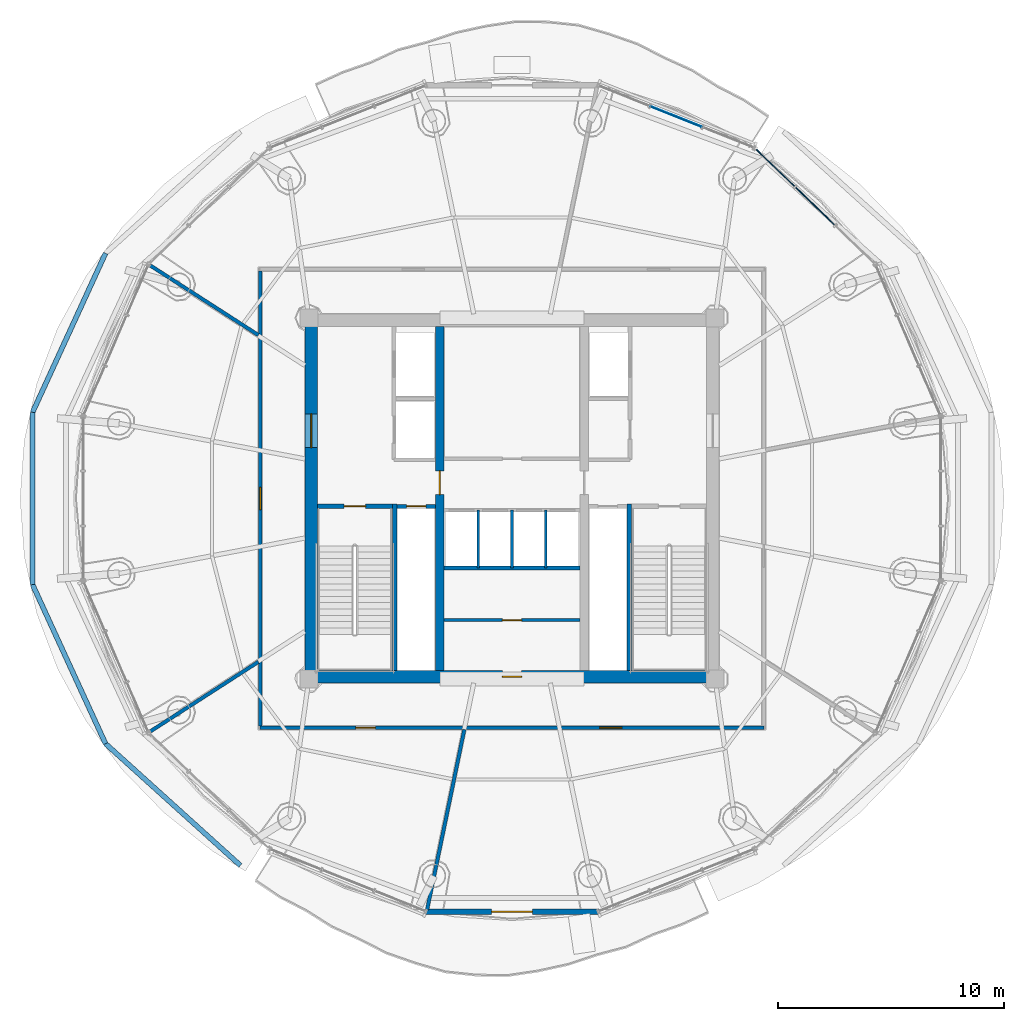
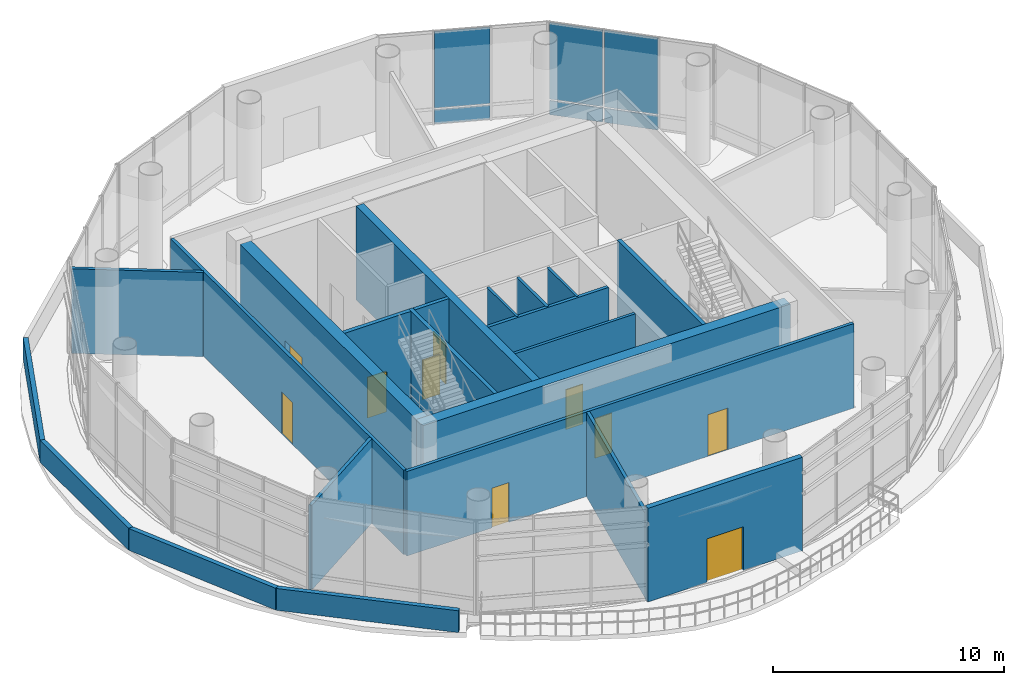
# One storey, part 16 of 22: 22 walls, 10 doors, 6 plates, 10 openings, 2 elements without a shape of their own.
"""IFC4 building model written with IfcOpenShell, lengths in metres."""

from ifc_helpers import new_model, si_unit, direction, frame, frame_2d, origin, origin_2d, place, context, subcontext, project, spatial, rectangle, extrude, source, transform, mapped, material, layer, layer_set, type_object, element, fill, aggregate, save


model = new_model("IFC4")

# Units and contexts
model_context = context("Model", 3, precision=1e-05, world=origin(), true_north=direction((-0.2419218956, 0.970295726276)))
body_context = subcontext(model_context, "Body", "Model", "MODEL_VIEW")
ifc_project = project(units=[si_unit("LENGTHUNIT", "METRE"), si_unit("AREAUNIT", "SQUARE_METRE"), si_unit("VOLUMEUNIT", "CUBIC_METRE"), si_unit("PLANEANGLEUNIT", "RADIAN"), si_unit("MASSUNIT", "GRAM", prefix="KILO")], contexts=[model_context])

# Site, building, storey
site_placement = place(None, origin())
site = spatial("IfcSite", under=ifc_project, at=site_placement, CompositionType="ELEMENT")
building_placement = place(site_placement, origin())
building = spatial("IfcBuilding", under=site, at=building_placement, Name="Cobrevalo Terracotta Tower", CompositionType="ELEMENT")
storey_placement = place(building_placement, frame((0.0, 0.0, 243.0)))
storey = spatial("IfcBuildingStorey", under=building, at=storey_placement, Name="L64", CompositionType="ELEMENT", Elevation=243.0)

# Curtain wall, plates
ifc_material_1 = material(Name="Anodized aluminium", Category="aluminium")
curtain_wall_type = type_object("IfcCurtainWallType", Name="Double-height sky-lobby panoramic curtain wall CW-SK", PredefinedType="NOTDEFINED", material=ifc_material_1)
curtain_wall_1_placement = place(storey_placement, origin())
curtain_wall_1 = element("IfcCurtainWall", 1, at=curtain_wall_1_placement, inside=storey, type_object=curtain_wall_type, Name="L64 curtain wall CW-SK-L64-S02", PredefinedType="NOTDEFINED")
ifc_material_2 = material(Name="Terracotta-faced insulated spandrel", Category="masonry")
ifc_layer_1 = layer(ifc_material_2, 0.044921875)
ifc_layer_set_1 = layer_set([ifc_layer_1], Name="Terracotta-faced insulated spandrel")
plate_type_1 = type_object("IfcPlateType", Name="Insulated terracotta-faced spandrel cassette 45 mm", PredefinedType="CURTAIN_PANEL", material=ifc_layer_set_1)
shared_shape_1 = source(origin(), body_context, "Body", "SweptSolid", [
    extrude(rectangle(XDim=2.354248046875, YDim=0.044921875, at=origin_2d()), origin(), (0.0, 0.0, 1.0), 0.739990234375),
])
plate_1_placement = place(storey_placement, frame((49.66650390625, 41.451171875, 0.0400390625), z_axis=(0.0, 0.0, 1.0), x_axis=(-0.719996603293, 0.693977586992, 0.0)))
plate_1 = element("IfcPlate", 2, at=plate_1_placement, type_object=plate_type_1, Name="CW-SK-L64-S02 terracotta spandrel panel B03", PredefinedType="CURTAIN_PANEL", context=body_context, shape_type="MappedRepresentation", body=[
    mapped(shared_shape_1, transform((0.0, 0.0, 0.0), scale=1.0)),
])
ifc_material_3 = material(Name="Laminated low-E double glazing", Category="glass")
ifc_layer_2 = layer(ifc_material_3, 0.031982421875)
ifc_layer_set_2 = layer_set([ifc_layer_2], Name="Laminated low-E double glazing")
plate_type_2 = type_object("IfcPlateType", Name="Podium clear acoustic laminated glazing panel 32 mm", PredefinedType="CURTAIN_PANEL", material=ifc_layer_set_2)
shared_shape_2 = source(origin(), body_context, "Body", "SweptSolid", [
    extrude(rectangle(XDim=2.354248046875, YDim=0.035888671875, at=origin_2d()), origin(), (0.0, 0.0, 1.0), 4.0400390625),
])
plate_2_placement = place(storey_placement, frame((49.66650390625, 41.451171875, 0.85986328125), z_axis=(0.0, 0.0, 1.0), x_axis=(-0.719996603293, 0.693977586992, 0.0)))
plate_2 = element("IfcPlate", 3, at=plate_2_placement, type_object=plate_type_2, Name="CW-SK-L64-S02 glazing panel B03", PredefinedType="CURTAIN_PANEL", context=body_context, shape_type="MappedRepresentation", body=[
    mapped(shared_shape_2, transform((0.0, 0.0, 0.0), scale=1.0)),
])
shared_shape_3 = source(origin(), body_context, "Body", "SweptSolid", [
    extrude(rectangle(XDim=2.394287109375, YDim=0.044921875, at=origin_2d()), origin(), (0.0, 0.0, 1.0), 0.739990234375),
])
plate_3_placement = place(storey_placement, frame((51.43359375, 39.748046875, 0.0400390625), z_axis=(0.0, 0.0, 1.0), x_axis=(-0.719996603293, 0.693977586992, 0.0)))
plate_3 = element("IfcPlate", 4, at=plate_3_placement, type_object=plate_type_1, Name="CW-SK-L64-S02 terracotta spandrel panel B02", PredefinedType="CURTAIN_PANEL", context=body_context, shape_type="MappedRepresentation", body=[
    mapped(shared_shape_3, transform((0.0, 0.0, 0.0), scale=1.0)),
])
shared_shape_4 = source(origin(), body_context, "Body", "SweptSolid", [
    extrude(rectangle(XDim=2.394287109375, YDim=0.035888671875, at=origin_2d()), origin(), (0.0, 0.0, 1.0), 4.0400390625),
])
plate_4_placement = place(storey_placement, frame((51.43359375, 39.748046875, 0.85986328125), z_axis=(0.0, 0.0, 1.0), x_axis=(-0.719996603293, 0.693977586992, 0.0)))
plate_4 = element("IfcPlate", 5, at=plate_4_placement, type_object=plate_type_2, Name="CW-SK-L64-S02 glazing panel B02", PredefinedType="CURTAIN_PANEL", context=body_context, shape_type="MappedRepresentation", body=[
    mapped(shared_shape_4, transform((0.0, 0.0, 0.0), scale=1.0)),
])
aggregate(curtain_wall_1, [plate_3, plate_4, plate_1, plate_2])

curtain_wall_2_placement = place(storey_placement, origin())
curtain_wall_2 = element("IfcCurtainWall", 6, at=curtain_wall_2_placement, inside=storey, type_object=curtain_wall_type, Name="L64 curtain wall CW-SK-L64-S03", PredefinedType="NOTDEFINED")
shared_shape_5 = source(origin(), body_context, "Body", "SweptSolid", [
    extrude(rectangle(XDim=2.426025390625, YDim=0.044921875, at=origin_2d()), origin(), (0.0, 0.0, 1.0), 0.739990234375),
])
plate_5_placement = place(storey_placement, frame((45.270263671875, 43.71728515625, 0.0400390625), z_axis=(0.0, 0.0, 1.0), x_axis=(-0.92871833374, 0.370785998353, 0.0)))
plate_5 = element("IfcPlate", 7, at=plate_5_placement, type_object=plate_type_1, Name="CW-SK-L64-S03 terracotta spandrel panel B02", PredefinedType="CURTAIN_PANEL", context=body_context, shape_type="MappedRepresentation", body=[
    mapped(shared_shape_5, transform((0.0, 0.0, 0.0), scale=1.0)),
])
shared_shape_6 = source(origin(), body_context, "Body", "SweptSolid", [
    extrude(rectangle(XDim=2.426025390625, YDim=0.035888671875, at=origin_2d()), origin(), (0.0, 0.0, 1.0), 4.0400390625),
])
plate_6_placement = place(storey_placement, frame((45.270263671875, 43.71728515625, 0.85986328125), z_axis=(0.0, 0.0, 1.0), x_axis=(-0.92871833374, 0.370785998353, 0.0)))
plate_6 = element("IfcPlate", 8, at=plate_6_placement, type_object=plate_type_2, Name="CW-SK-L64-S03 glazing panel B02", PredefinedType="CURTAIN_PANEL", context=body_context, shape_type="MappedRepresentation", body=[
    mapped(shared_shape_6, transform((0.0, 0.0, 0.0), scale=1.0)),
])
aggregate(curtain_wall_2, [plate_5, plate_6])

# Wall, opening, door
ifc_material_4 = material(Name="Concrete C50", Category="concrete")
ifc_layer_3 = layer(ifc_material_4, 0.550048828125)
ifc_layer_set_3 = layer_set([ifc_layer_3], Name="Concrete C50")
wall_type_1 = type_object("IfcWallType", Name="Core shear wall 550 mm Concrete C50", PredefinedType="SHEAR", material=ifc_layer_set_3)
wall_1_placement = place(storey_placement, frame((28.824951171875, 18.89990234375, 0.0), z_axis=(0.0, 0.0, 1.0), x_axis=(1.0, 0.0, 0.0)))
wall_1 = element("IfcWall", 9, at=wall_1_placement, inside=storey, type_object=wall_type_1, Name="L64 south core shear wall", PredefinedType="SHEAR", context=body_context, shape_type="SweptSolid", body=[
    extrude(rectangle(XDim=18.35009765625, YDim=0.550048828125, at=frame_2d((9.175048828125, 0.0))), origin(), (0.0, 0.0, 1.0), 4.93994140625),
])
opening_1_placement = place(wall_1_placement, frame((8.75, 0.0, 0.0)))
opening_1 = element("IfcOpeningElement", 10, at=opening_1_placement, cuts=wall_1, Name="Opening ID-22", PredefinedType="OPENING", context=body_context, shape_type="SweptSolid", body=[
    extrude(rectangle(XDim=0.85009765625, YDim=2.10009765625, at=frame_2d((0.425048828125, 1.050048828125))), frame((0.0, 0.28515625, 0.0), z_axis=(0.0, -1.0, 0.0), x_axis=(1.0, 0.0, 0.0)), (0.0, 0.0, 1.0), 0.570068359375),
])
ifc_material_5 = material(Name="Powder-coated steel", Category="steel")
door_type_1 = type_object("IfcDoorType", Name="Riser shaft & meter closet fire access door 850x2100 EI 60", OperationType="NOTDEFINED", PredefinedType="DOOR", material=ifc_material_5)
shared_shape_7 = source(origin(), body_context, "Body", "SweptSolid", [
    extrude(rectangle(XDim=0.85009765625, YDim=2.10009765625, at=frame_2d((0.425048828125, 1.050048828125))), frame((0.0, 0.02490234375, 0.0), z_axis=(0.0, -1.0, 0.0), x_axis=(1.0, 0.0, 0.0)), (0.0, 0.0, 1.0), 0.050048828125),
])
door_1_placement = place(opening_1_placement, origin())
door_1 = element("IfcDoor", 11, at=door_1_placement, inside=storey, type_object=door_type_1, Name="L64 core south plant door Smoke Extract Fan Plant", OperationType="SINGLE_SWING_RIGHT", OverallHeight=2.10009765625, OverallWidth=0.85009765625, PredefinedType="DOOR", context=body_context, shape_type="MappedRepresentation", body=[
    mapped(shared_shape_7, transform((0.0, 0.0, 0.0), scale=1.0)),
])
fill(opening_1, door_1)

wall_2_placement = place(storey_placement, frame((29.10009765625, 19.175048828125, 0.0), z_axis=(0.0, 0.0, 1.0), x_axis=(0.0, 1.0, 0.0)))
wall_2 = element("IfcWall", 12, at=wall_2_placement, inside=storey, type_object=wall_type_1, Name="L64 west core shear wall", PredefinedType="SHEAR", context=body_context, shape_type="SweptSolid", body=[
    extrude(rectangle(XDim=15.25, YDim=0.550048828125, at=frame_2d((7.625, 0.0))), origin(), (0.0, 0.0, 1.0), 4.93994140625),
])
opening_2_placement = place(wall_2_placement, frame((9.875, 0.0, 0.0)))
opening_2 = element("IfcOpeningElement", 13, at=opening_2_placement, cuts=wall_2, Name="Opening ID-14", PredefinedType="OPENING", context=body_context, shape_type="SweptSolid", body=[
    extrude(rectangle(XDim=1.5, YDim=2.199951171875, at=frame_2d((0.75, 1.10009765625))), frame((0.0, 0.28515625, 0.0), z_axis=(0.0, -1.0, 0.0), x_axis=(1.0, 0.0, 0.0)), (0.0, 0.0, 1.0), 0.570068359375),
])
ifc_material_6 = material(Name="Galvanized fire-rated steel", Category="steel")
door_type_2 = type_object("IfcDoorType", Name="Core cross-lobby double fire door 1500x2200 EI 90", OperationType="NOTDEFINED", PredefinedType="DOOR", material=ifc_material_6)
shared_shape_8 = source(origin(), body_context, "Body", "SweptSolid", [
    extrude(rectangle(XDim=1.5, YDim=2.199951171875, at=frame_2d((0.75, 1.10009765625))), frame((0.0, 0.02490234375, 0.0), z_axis=(0.0, -1.0, 0.0), x_axis=(1.0, 0.0, 0.0)), (0.0, 0.0, 1.0), 0.050048828125),
])
door_2_placement = place(opening_2_placement, origin())
door_2 = element("IfcDoor", 14, at=door_2_placement, inside=storey, type_object=door_type_2, Name="L64 west firefighting lobby entrance door", OperationType="DOUBLE_DOOR_SINGLE_SWING", OverallHeight=2.199951171875, OverallWidth=1.5, PredefinedType="DOOR", context=body_context, shape_type="MappedRepresentation", body=[
    mapped(shared_shape_8, transform((0.0, 0.0, 0.0), scale=1.0)),
])
fill(opening_2, door_2)

# Wall
ifc_material_7 = material(Name="Gypsum board on steel stud", Category="steel")
ifc_layer_4 = layer(ifc_material_7, 0.159912109375)
ifc_layer_set_4 = layer_set([ifc_layer_4], Name="Gypsum board on steel stud")
wall_type_2 = type_object("IfcWallType", Name="Fire-rated corridor acoustic partition wall 160 mm", PredefinedType="PARTITIONING", material=ifc_layer_set_4)
wall_3_placement = place(storey_placement, frame((34.989990234375, 23.719970703125, 0.0), z_axis=(0.0, 0.0, 1.0), x_axis=(1.0, 0.0, 0.0)))
element("IfcWall", 15, at=wall_3_placement, inside=storey, type_object=wall_type_2, Name="L64 interior partition IW-L64-MB-S", PredefinedType="PARTITIONING", context=body_context, shape_type="SweptSolid", body=[
    extrude(rectangle(XDim=6.02001953125, YDim=0.159912109375, at=frame_2d((3.010009765625, 0.0))), origin(), (0.0, 0.0, 1.0), 4.93994140625),
])

# Wall, openings, doors
wall_4_placement = place(storey_placement, frame((26.844970703125, 16.64501953125, 0.0), z_axis=(0.0, 0.0, 1.0), x_axis=(1.0, 0.0, 0.0)))
wall_4 = element("IfcWall", 16, at=wall_4_placement, inside=storey, type_object=wall_type_2, Name="L64 interior partition IW-L64-COR-S", PredefinedType="PARTITIONING", context=body_context, shape_type="SweptSolid", body=[
    extrude(rectangle(XDim=22.31005859375, YDim=0.159912109375, at=frame_2d((11.155029296875, 0.0))), origin(), (0.0, 0.0, 1.0), 4.465087890625),
])
opening_3_placement = place(wall_4_placement, frame((4.23583984375, 0.0, 0.0)))
opening_3 = element("IfcOpeningElement", 17, at=opening_3_placement, cuts=wall_4, Name="Opening ID-07", PredefinedType="OPENING", context=body_context, shape_type="SweptSolid", body=[
    extrude(rectangle(XDim=0.860107421875, YDim=2.10009765625, at=frame_2d((0.43017578125, 1.050048828125))), frame((0.0, 0.08984375, 0.0), z_axis=(0.0, -1.0, 0.0), x_axis=(1.0, 0.0, 0.0)), (0.0, 0.0, 1.0), 0.179931640625),
])
opening_4_placement = place(wall_4_placement, frame((15.0419921875, 0.0, 0.0)))
opening_4 = element("IfcOpeningElement", 18, at=opening_4_placement, cuts=wall_4, Name="Opening ID-05", PredefinedType="OPENING", context=body_context, shape_type="SweptSolid", body=[
    extrude(rectangle(XDim=0.97998046875, YDim=2.199951171875, at=frame_2d((0.489990234375, 1.10009765625))), frame((0.0, 0.08984375, 0.0), z_axis=(0.0, -1.0, 0.0), x_axis=(1.0, 0.0, 0.0)), (0.0, 0.0, 1.0), 0.179931640625),
])
ifc_material_8 = material(Name="Fire-rated moisture-sealed timber", Category="wood")
door_type_3 = type_object("IfcDoorType", Name="Core & podium fire-rated accessible WC door 860x2100 EI 60", OperationType="NOTDEFINED", PredefinedType="DOOR", material=ifc_material_8)
shared_shape_9 = source(origin(), body_context, "Body", "SweptSolid", [
    extrude(rectangle(XDim=0.860107421875, YDim=2.10009765625, at=frame_2d((0.43017578125, 1.050048828125))), frame((0.0, 0.02490234375, 0.0), z_axis=(0.0, -1.0, 0.0), x_axis=(1.0, 0.0, 0.0)), (0.0, 0.0, 1.0), 0.050048828125),
])
door_3_placement = place(opening_3_placement, frame((0.860107421875, 0.0, 0.0), z_axis=(0.0, 0.0, 1.0), x_axis=(-1.0, 0.0, 0.0)))
door_3 = element("IfcDoor", 19, at=door_3_placement, inside=storey, type_object=door_type_3, Name="L64 Accessible Sky Restrooms WC door", OperationType="SINGLE_SWING_LEFT", OverallHeight=2.10009765625, OverallWidth=0.860107421875, PredefinedType="DOOR", context=body_context, shape_type="MappedRepresentation", body=[
    mapped(shared_shape_9, transform((0.0, 0.0, 0.0), scale=1.0)),
])
fill(opening_3, door_3)
ifc_material_9 = material(Name="Solid hardwood timber", Category="wood")
door_type_4 = type_object("IfcDoorType", Name="Residence entrance fire-rated acoustic timber door 980x2200 EI 60", OperationType="NOTDEFINED", PredefinedType="DOOR", material=ifc_material_9)
shared_shape_10 = source(origin(), body_context, "Body", "SweptSolid", [
    extrude(rectangle(XDim=0.97998046875, YDim=2.199951171875, at=frame_2d((0.489990234375, 1.10009765625))), frame((0.0, 0.02490234375, 0.0), z_axis=(0.0, -1.0, 0.0), x_axis=(1.0, 0.0, 0.0)), (0.0, 0.0, 1.0), 0.050048828125),
])
door_4_placement = place(opening_4_placement, frame((0.97998046875, 0.0, 0.0), z_axis=(0.0, 0.0, 1.0), x_axis=(-1.0, 0.0, 0.0)))
door_4 = element("IfcDoor", 20, at=door_4_placement, inside=storey, type_object=door_type_4, Name="L64 South Panorama Sky Lounge door", OperationType="SINGLE_SWING_RIGHT", OverallHeight=2.199951171875, OverallWidth=0.97998046875, PredefinedType="DOOR", context=body_context, shape_type="MappedRepresentation", body=[
    mapped(shared_shape_10, transform((0.0, 0.0, 0.0), scale=1.0)),
])
fill(opening_4, door_4)

# Wall, opening, door
wall_5_placement = place(storey_placement, frame((26.844970703125, 16.72509765625, 0.0), z_axis=(0.0, 0.0, 1.0), x_axis=(0.0, 1.0, 0.0)))
wall_5 = element("IfcWall", 21, at=wall_5_placement, inside=storey, type_object=wall_type_2, Name="L64 interior partition IW-L64-COR-W", PredefinedType="PARTITIONING", context=body_context, shape_type="SweptSolid", body=[
    extrude(rectangle(XDim=20.14990234375, YDim=0.159912109375, at=frame_2d((10.074951171875, 0.0))), origin(), (0.0, 0.0, 1.0), 4.465087890625),
])
opening_5_placement = place(wall_5_placement, frame((9.5849609375, 0.0, 0.0)))
opening_5 = element("IfcOpeningElement", 22, at=opening_5_placement, cuts=wall_5, Name="Opening ID-05", PredefinedType="OPENING", context=body_context, shape_type="SweptSolid", body=[
    extrude(rectangle(XDim=0.97998046875, YDim=2.199951171875, at=frame_2d((0.489990234375, 1.10009765625))), frame((0.0, 0.08984375, 0.0), z_axis=(0.0, -1.0, 0.0), x_axis=(1.0, 0.0, 0.0)), (0.0, 0.0, 1.0), 0.179931640625),
])
door_5_placement = place(opening_5_placement, frame((0.97998046875, 0.0, 0.0), z_axis=(0.0, 0.0, 1.0), x_axis=(-1.0, 0.0, 0.0)))
door_5 = element("IfcDoor", 23, at=door_5_placement, inside=storey, type_object=door_type_4, Name="L64 Executive Sky Boardroom door", OperationType="SINGLE_SWING_RIGHT", OverallHeight=2.199951171875, OverallWidth=0.97998046875, PredefinedType="DOOR", context=body_context, shape_type="MappedRepresentation", body=[
    mapped(shared_shape_10, transform((0.0, 0.0, 0.0), scale=1.0)),
])
fill(opening_5, door_5)

# Walls
for number, where, z_axis, x_axis, name in (
    (24, (26.764892578125, 34.0361328125, 0.0), (0.0, 0.0, 1.0), (-0.84070098407, 0.541499635627, 0.0), "L64 interior partition IW-L64-SW3"),
    (25, (26.764892578125, 19.56396484375, 0.0), (0.0, 0.0, 1.0), (-0.84070098407, -0.541499635627, 0.0), "L64 interior partition IW-L64-SW4"),
):
    element("IfcWall", number, at=place(storey_placement, frame(where, z_axis=z_axis, x_axis=x_axis)), inside=storey, type_object=wall_type_2, Name=name, PredefinedType="PARTITIONING", context=body_context, shape_type="SweptSolid", body=[
        extrude(rectangle(XDim=5.7021484375, YDim=0.159912109375, at=frame_2d((2.85107421875, 0.0))), origin(), (0.0, 0.0, 1.0), 4.465087890625),
    ])
wall_6_placement = place(storey_placement, frame((35.887939453125, 16.56494140625, 0.0), z_axis=(0.0, 0.0, 1.0), x_axis=(-0.202098819962, -0.979365134651, 0.0)))
element("IfcWall", 26, at=wall_6_placement, inside=storey, type_object=wall_type_2, Name="L64 interior partition IW-L64-SW5", PredefinedType="PARTITIONING", context=body_context, shape_type="SweptSolid", body=[
    extrude(rectangle(XDim=8.156494140625, YDim=0.159912109375, at=frame_2d((4.078125, 0.0))), origin(), (0.0, 0.0, 1.0), 4.465087890625),
])

# Wall, opening, door
ifc_layer_5 = layer(ifc_material_7, 0.179931640625)
ifc_layer_set_5 = layer_set([ifc_layer_5], Name="Gypsum board on steel stud")
wall_type_3 = type_object("IfcWallType", Name="Fire-rated shaft & lobby acoustic partition wall 180 mm", PredefinedType="PARTITIONING", material=ifc_layer_set_5)
wall_7_placement = place(storey_placement, frame((32.89990234375, 26.449951171875, 0.0), z_axis=(0.0, 0.0, 1.0), x_axis=(1.0, 0.0, 0.0)))
wall_7 = element("IfcWall", 27, at=wall_7_placement, inside=storey, type_object=wall_type_3, Name="L64 interior partition IW-L64-RSW-N", PredefinedType="PARTITIONING", context=body_context, shape_type="SweptSolid", body=[
    extrude(rectangle(XDim=1.710205078125, YDim=0.179931640625, at=frame_2d((0.85498046875, 0.0))), origin(), (0.0, 0.0, 1.0), 4.93994140625),
])
opening_6_placement = place(wall_7_placement, frame((0.429931640625, 0.0, 0.0)))
opening_6 = element("IfcOpeningElement", 28, at=opening_6_placement, cuts=wall_7, Name="Opening ID-22", PredefinedType="OPENING", context=body_context, shape_type="SweptSolid", body=[
    extrude(rectangle(XDim=0.85009765625, YDim=2.10009765625, at=frame_2d((0.425048828125, 1.050048828125))), frame((0.0, 0.10009765625, 0.0), z_axis=(0.0, -1.0, 0.0), x_axis=(1.0, 0.0, 0.0)), (0.0, 0.0, 1.0), 0.199951171875),
])
door_6_placement = place(opening_6_placement, origin())
door_6 = element("IfcDoor", 29, at=door_6_placement, inside=storey, type_object=door_type_1, Name="L64 riser access door RSW", OperationType="SINGLE_SWING_LEFT", OverallHeight=2.10009765625, OverallWidth=0.85009765625, PredefinedType="DOOR", context=body_context, shape_type="MappedRepresentation", body=[
    mapped(shared_shape_7, transform((0.0, 0.0, 0.0), scale=1.0)),
])
fill(opening_6, door_6)

# Walls
ifc_material_10 = material(Name="Autoclaved aerated concrete block", Category="concrete")
ifc_layer_6 = layer(ifc_material_10, 0.1201171875)
ifc_layer_set_6 = layer_set([ifc_layer_6], Name="Autoclaved aerated concrete block")
wall_type_4 = type_object("IfcWallType", Name="Fire-rated wet-room & core service partition 120 mm", PredefinedType="PARTITIONING", material=ifc_layer_set_6)
for number, where, z_axis, x_axis, name in (
    (30, (36.5, 23.719970703125, 0.0), (0.0, 0.0, 1.0), (0.0, 1.0, 0.0), "L64 interior partition IW-L64-MB-D1"),
    (31, (39.5, 23.719970703125, 0.0), (0.0, 0.0, 1.0), (0.0, 1.0, 0.0), "L64 interior partition IW-L64-MB-D3"),
):
    element("IfcWall", number, at=place(storey_placement, frame(where, z_axis=z_axis, x_axis=x_axis)), inside=storey, type_object=wall_type_4, Name=name, PredefinedType="PARTITIONING", context=body_context, shape_type="SweptSolid", body=[
        extrude(rectangle(XDim=2.56005859375, YDim=0.1201171875, at=frame_2d((1.280029296875, 0.0))), origin(), (0.0, 0.0, 1.0), 4.93994140625),
    ])

# Wall, opening, door
ifc_layer_7 = layer(ifc_material_4, 0.3798828125)
ifc_layer_set_7 = layer_set([ifc_layer_7], Name="Concrete C50")
wall_type_5 = type_object("IfcWallType", Name="Internal core shear web wall 380 mm Concrete C50", PredefinedType="SHEAR", material=ifc_layer_set_7)
wall_8_placement = place(storey_placement, frame((34.800048828125, 19.175048828125, 0.0), z_axis=(0.0, 0.0, 1.0), x_axis=(0.0, 1.0, 0.0)))
wall_8 = element("IfcWall", 32, at=wall_8_placement, inside=storey, type_object=wall_type_5, Name="L64 internal core shear wall WEB-W", PredefinedType="SHEAR", context=body_context, shape_type="SweptSolid", body=[
    extrude(rectangle(XDim=15.25, YDim=0.3798828125, at=frame_2d((7.625, 0.0))), origin(), (0.0, 0.0, 1.0), 4.93994140625),
])
opening_7_placement = place(wall_8_placement, frame((7.800048828125, 0.0, 0.0)))
opening_7 = element("IfcOpeningElement", 33, at=opening_7_placement, cuts=wall_8, Name="Opening ID-11", PredefinedType="OPENING", context=body_context, shape_type="SweptSolid", body=[
    extrude(rectangle(XDim=1.050048828125, YDim=2.14990234375, at=frame_2d((0.52490234375, 1.074951171875))), frame((0.0, 0.199951171875, 0.0), z_axis=(0.0, -1.0, 0.0), x_axis=(1.0, 0.0, 0.0)), (0.0, 0.0, 1.0), 0.39990234375),
])
door_type_5 = type_object("IfcDoorType", Name="Core concourse cross fire door 1050x2150 EI 90", OperationType="NOTDEFINED", PredefinedType="DOOR", material=ifc_material_6)
shared_shape_11 = source(origin(), body_context, "Body", "SweptSolid", [
    extrude(rectangle(XDim=1.050048828125, YDim=2.14990234375, at=frame_2d((0.52490234375, 1.074951171875))), frame((0.0, 0.02490234375, 0.0), z_axis=(0.0, -1.0, 0.0), x_axis=(1.0, 0.0, 0.0)), (0.0, 0.0, 1.0), 0.050048828125),
])
door_7_placement = place(opening_7_placement, origin())
door_7 = element("IfcDoor", 34, at=door_7_placement, inside=storey, type_object=door_type_5, Name="L64 west core concourse cross door", OperationType="SINGLE_SWING_LEFT", OverallHeight=2.14990234375, OverallWidth=1.050048828125, PredefinedType="DOOR", context=body_context, shape_type="MappedRepresentation", body=[
    mapped(shared_shape_11, transform((0.0, 0.0, 0.0), scale=1.0)),
])
fill(opening_7, door_7)

# Wall
ifc_layer_8 = layer(ifc_material_10, 0.139892578125)
ifc_layer_set_8 = layer_set([ifc_layer_8], Name="Autoclaved aerated concrete block")
wall_type_6 = type_object("IfcWallType", Name="Moisture-resistant wet-room & core service partition 140 mm", PredefinedType="PARTITIONING", material=ifc_layer_set_8)
wall_9_placement = place(storey_placement, frame((38.0, 23.719970703125, 0.0), z_axis=(0.0, 0.0, 1.0), x_axis=(0.0, 1.0, 0.0)))
element("IfcWall", 35, at=wall_9_placement, inside=storey, type_object=wall_type_6, Name="L64 interior partition IW-L64-MB-D2", PredefinedType="PARTITIONING", context=body_context, shape_type="SweptSolid", body=[
    extrude(rectangle(XDim=2.56005859375, YDim=0.139892578125, at=frame_2d((1.280029296875, 0.0))), origin(), (0.0, 0.0, 1.0), 4.93994140625),
])

# Wall, opening, door
wall_10_placement = place(storey_placement, frame((34.989990234375, 21.407470703125, 0.0), z_axis=(0.0, 0.0, 1.0), x_axis=(1.0, 0.0, 0.0)))
wall_10 = element("IfcWall", 36, at=wall_10_placement, inside=storey, type_object=wall_type_6, Name="L64 interior partition IW-L64-KVS-H", PredefinedType="PARTITIONING", context=body_context, shape_type="SweptSolid", body=[
    extrude(rectangle(XDim=6.02001953125, YDim=0.139892578125, at=frame_2d((3.010009765625, 0.0))), origin(), (0.0, 0.0, 1.0), 4.93994140625),
])
opening_8_placement = place(wall_10_placement, frame((2.5849609375, 0.0, 0.0)))
opening_8 = element("IfcOpeningElement", 37, at=opening_8_placement, cuts=wall_10, Name="Opening ID-22", PredefinedType="OPENING", context=body_context, shape_type="SweptSolid", body=[
    extrude(rectangle(XDim=0.85009765625, YDim=2.10009765625, at=frame_2d((0.425048828125, 1.050048828125))), frame((0.0, 0.080078125, 0.0), z_axis=(0.0, -1.0, 0.0), x_axis=(1.0, 0.0, 0.0)), (0.0, 0.0, 1.0), 0.159912109375),
])
door_8_placement = place(opening_8_placement, origin())
door_8 = element("IfcDoor", 38, at=door_8_placement, inside=storey, type_object=door_type_1, Name="L64 core manifold inner door", OperationType="SINGLE_SWING_LEFT", OverallHeight=2.10009765625, OverallWidth=0.85009765625, PredefinedType="DOOR", context=body_context, shape_type="MappedRepresentation", body=[
    mapped(shared_shape_7, transform((0.0, 0.0, 0.0), scale=1.0)),
])
fill(opening_8, door_8)

# Walls
ifc_material_11 = material(Name="Precast concrete C45", Category="concrete")
ifc_layer_9 = layer(ifc_material_11, 0.219970703125)
ifc_layer_set_9 = layer_set([ifc_layer_9], Name="Precast concrete C45")
wall_type_7 = type_object("IfcWallType", Name="Precast concrete roof and setback terrace parapet wall 220 mm", PredefinedType="PARAPET", material=ifc_layer_set_9)
wall_11_placement = place(storey_placement, frame((19.990478515625, 37.6669921875, 0.0), z_axis=(0.0, 0.0, 1.0), x_axis=(-0.416937529553, -0.908935144249, 0.0)))
element("IfcWall", 39, at=wall_11_placement, inside=storey, type_object=wall_type_7, Name="L64 setback roof concrete parapet 07", PredefinedType="PARAPET", context=body_context, shape_type="SweptSolid", body=[
    extrude(rectangle(XDim=7.757568359375, YDim=0.219970703125, at=frame_2d((3.87890625, 0.0))), origin(), (0.0, 0.0, 1.0), 1.14990234375),
])
wall_12_placement = place(storey_placement, frame((16.756103515625, 30.615966796875, 0.0), z_axis=(0.0, 0.0, 1.0), x_axis=(0.0, -1.0, 0.0)))
element("IfcWall", 40, at=wall_12_placement, inside=storey, type_object=wall_type_7, Name="L64 setback roof concrete parapet 08", PredefinedType="PARAPET", context=body_context, shape_type="SweptSolid", body=[
    extrude(rectangle(XDim=7.6318359375, YDim=0.219970703125, at=frame_2d((3.81591796875, 0.0))), origin(), (0.0, 0.0, 1.0), 1.14990234375),
])
wall_13_placement = place(storey_placement, frame((16.756103515625, 22.984130859375, 0.0), z_axis=(0.0, 0.0, 1.0), x_axis=(0.416937529553, -0.908935144249, 0.0)))
element("IfcWall", 41, at=wall_13_placement, inside=storey, type_object=wall_type_7, Name="L64 setback roof concrete parapet 09", PredefinedType="PARAPET", context=body_context, shape_type="SweptSolid", body=[
    extrude(rectangle(XDim=7.757568359375, YDim=0.219970703125, at=frame_2d((3.87890625, 0.0))), origin(), (0.0, 0.0, 1.0), 1.14990234375),
])
wall_14_placement = place(storey_placement, frame((19.990478515625, 15.93310546875, 0.0), z_axis=(0.0, 0.0, 1.0), x_axis=(0.742151778875, -0.670231853251, 0.0)))
element("IfcWall", 42, at=wall_14_placement, inside=storey, type_object=wall_type_7, Name="L64 setback roof concrete parapet 10", PredefinedType="PARAPET", context=body_context, shape_type="SweptSolid", body=[
    extrude(rectangle(XDim=8.052001953125, YDim=0.219970703125, at=frame_2d((4.02587890625, 0.0))), origin(), (0.0, 0.0, 1.0), 1.14990234375),
])

# Wall, opening, door
ifc_layer_10 = layer(ifc_material_10, 0.260009765625)
ifc_layer_set_10 = layer_set([ifc_layer_10], Name="Autoclaved aerated concrete block")
wall_type_8 = type_object("IfcWallType", Name="Recessed balcony loggia insulated exterior wall 260 mm", PredefinedType="SOLIDWALL", material=ifc_layer_set_10)
wall_15_placement = place(storey_placement, frame((34.14111328125, 8.48876953125, 0.0), z_axis=(0.0, 0.0, 1.0), x_axis=(1.0, 0.0, 0.0)))
wall_15 = element("IfcWall", 43, at=wall_15_placement, inside=storey, type_object=wall_type_8, Name="L64 sky terrace loggia wall S12", PredefinedType="SOLIDWALL", context=body_context, shape_type="SweptSolid", body=[
    extrude(rectangle(XDim=7.7177734375, YDim=0.260009765625, at=frame_2d((3.85888671875, 0.0))), origin(), (0.0, 0.0, 1.0), 4.93994140625),
])
opening_9_placement = place(wall_15_placement, frame((2.958984375, 0.0, 0.0)))
opening_9 = element("IfcOpeningElement", 44, at=opening_9_placement, cuts=wall_15, Name="Opening ED-11", PredefinedType="OPENING", context=body_context, shape_type="SweptSolid", body=[
    extrude(rectangle(XDim=1.800048828125, YDim=2.300048828125, at=frame_2d((0.89990234375, 1.14990234375))), frame((0.0, 0.14013671875, 0.0), z_axis=(0.0, -1.0, 0.0), x_axis=(1.0, 0.0, 0.0)), (0.0, 0.0, 1.0), 0.280029296875),
])
ifc_material_12 = material(Name="Anodized aluminium and laminated glass", Category="aluminium")
door_type_6 = type_object("IfcDoorType", Name="Upper terrace & penthouse external double glazed door 1800x2300", OperationType="NOTDEFINED", PredefinedType="DOOR", material=ifc_material_12)
shared_shape_12 = source(origin(), body_context, "Body", "SweptSolid", [
    extrude(rectangle(XDim=1.800048828125, YDim=2.300048828125, at=frame_2d((0.89990234375, 1.14990234375))), frame((0.0, 0.02490234375, 0.0), z_axis=(0.0, -1.0, 0.0), x_axis=(1.0, 0.0, 0.0)), (0.0, 0.0, 1.0), 0.050048828125),
])
door_9_placement = place(opening_9_placement, frame((1.800048828125, 0.0, 0.0), z_axis=(0.0, 0.0, 1.0), x_axis=(-1.0, 0.0, 0.0)))
door_9 = element("IfcDoor", 45, at=door_9_placement, inside=storey, type_object=door_type_6, Name="L64 external terrace glazed double door 2", OperationType="DOUBLE_DOOR_SINGLE_SWING", OverallHeight=2.300048828125, OverallWidth=1.800048828125, PredefinedType="DOOR", context=body_context, shape_type="MappedRepresentation", body=[
    mapped(shared_shape_12, transform((0.0, 0.0, 0.0), scale=1.0)),
])
fill(opening_9, door_9)

# Wall
ifc_layer_11 = layer(ifc_material_4, 0.199951171875)
ifc_layer_set_11 = layer_set([ifc_layer_11], Name="Concrete C50")
wall_type_9 = type_object("IfcWallType", Name="Structural core & podium stair-shaft RC wall 200 mm Concrete C50", PredefinedType="SOLIDWALL", material=ifc_layer_set_11)
wall_16_placement = place(storey_placement, frame((32.794921875, 19.175048828125, 0.0), z_axis=(0.0, 0.0, 1.0), x_axis=(0.0, 1.0, 0.0)))
element("IfcWall", 46, at=wall_16_placement, inside=storey, type_object=wall_type_9, Name="L64 ST-1 east structural shaft wall", PredefinedType="SOLIDWALL", context=body_context, shape_type="SweptSolid", body=[
    extrude(rectangle(XDim=7.375, YDim=0.199951171875, at=frame_2d((3.6875, 0.0))), origin(), (0.0, 0.0, 1.0), 4.93994140625),
])

# Wall, opening, door
wall_17_placement = place(storey_placement, frame((29.375, 26.449951171875, 0.0), z_axis=(0.0, 0.0, 1.0), x_axis=(1.0, 0.0, 0.0)))
wall_17 = element("IfcWall", 47, at=wall_17_placement, inside=storey, type_object=wall_type_9, Name="L64 ST-1 north structural shaft wall", PredefinedType="SOLIDWALL", context=body_context, shape_type="SweptSolid", body=[
    extrude(rectangle(XDim=3.320068359375, YDim=0.199951171875, at=frame_2d((1.66015625, 0.0))), origin(), (0.0, 0.0, 1.0), 4.93994140625),
])
opening_10_placement = place(wall_17_placement, frame((1.18505859375, 0.0, 0.0)))
opening_10 = element("IfcOpeningElement", 48, at=opening_10_placement, cuts=wall_17, Name="Opening ID-04", PredefinedType="OPENING", context=body_context, shape_type="SweptSolid", body=[
    extrude(rectangle(XDim=0.949951171875, YDim=2.14990234375, at=frame_2d((0.47509765625, 1.074951171875))), frame((0.0, 0.10986328125, 0.0), z_axis=(0.0, -1.0, 0.0), x_axis=(1.0, 0.0, 0.0)), (0.0, 0.0, 1.0), 0.219970703125),
])
door_type_7 = type_object("IfcDoorType", Name="Stair & firefighting lobby fire door 950x2150 EI 90", OperationType="NOTDEFINED", PredefinedType="DOOR", material=ifc_material_6)
shared_shape_13 = source(origin(), body_context, "Body", "SweptSolid", [
    extrude(rectangle(XDim=0.949951171875, YDim=2.14990234375, at=frame_2d((0.47509765625, 1.074951171875))), frame((0.0, 0.02490234375, 0.0), z_axis=(0.0, -1.0, 0.0), x_axis=(1.0, 0.0, 0.0)), (0.0, 0.0, 1.0), 0.050048828125),
])
door_10_placement = place(opening_10_placement, origin())
door_10 = element("IfcDoor", 49, at=door_10_placement, inside=storey, type_object=door_type_7, Name="L64 protected stair ST1 fire door", OperationType="SINGLE_SWING_LEFT", OverallHeight=2.14990234375, OverallWidth=0.949951171875, PredefinedType="DOOR", context=body_context, shape_type="MappedRepresentation", body=[
    mapped(shared_shape_13, transform((0.0, 0.0, 0.0), scale=1.0)),
])
fill(opening_10, door_10)

# Wall
wall_18_placement = place(storey_placement, frame((43.205078125, 19.175048828125, 0.0), z_axis=(0.0, 0.0, 1.0), x_axis=(0.0, 1.0, 0.0)))
element("IfcWall", 50, at=wall_18_placement, inside=storey, type_object=wall_type_9, Name="L64 ST-2 west structural shaft wall", PredefinedType="SOLIDWALL", context=body_context, shape_type="SweptSolid", body=[
    extrude(rectangle(XDim=7.375, YDim=0.199951171875, at=frame_2d((3.6875, 0.0))), origin(), (0.0, 0.0, 1.0), 4.93994140625),
])

save(model, "model.ifc")
